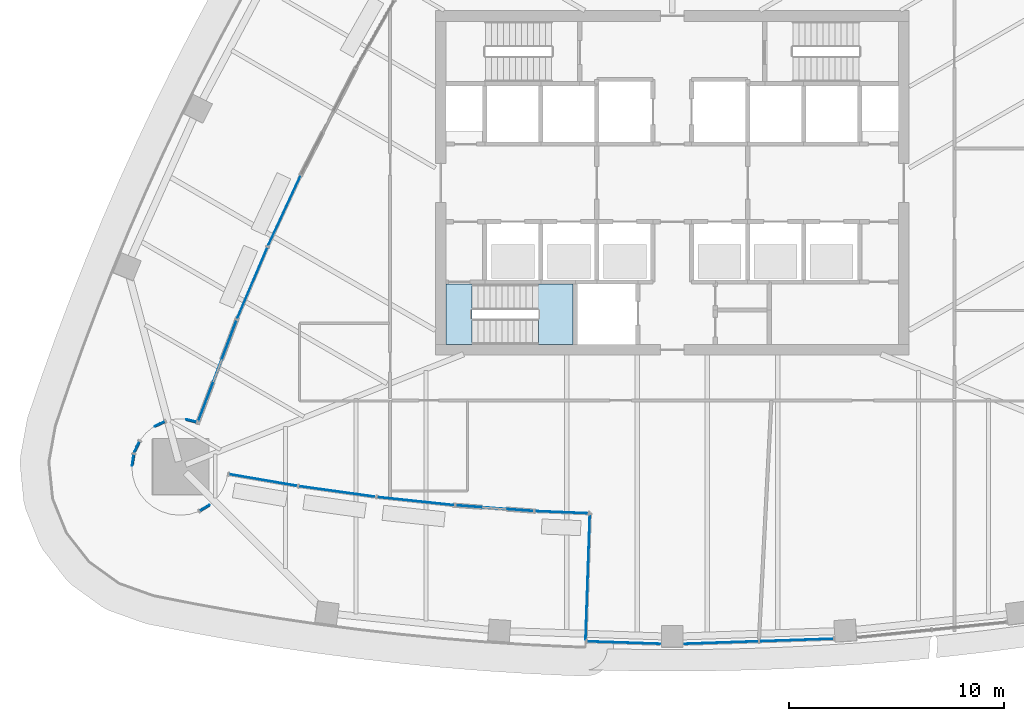
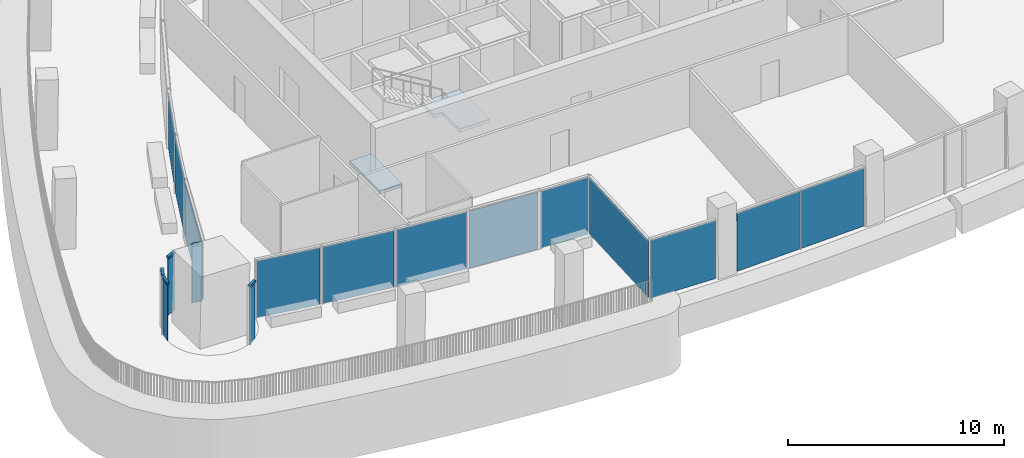
# One storey, part 7 of 18: 17 plates, 5 members, 2 slabs, 17 elements without a shape of their own.
"""IFC4 building model written with IfcOpenShell, lengths in metres."""

from ifc_helpers import new_model, si_unit, direction, frame, origin, origin_2d, place, context, subcontext, project, spatial, polyline, rectangle, outline, extrude, material, layer, layer_set, material_profile, profile_set, type_object, element, aggregate, save


model = new_model("IFC4")

# Units and contexts
model_context = context("Model", 3, precision=1e-05, world=origin(), true_north=direction((0.0, 1.0)))
body_context = subcontext(model_context, "Body", "Model", "MODEL_VIEW")
ifc_project = project(units=[si_unit("LENGTHUNIT", "METRE"), si_unit("AREAUNIT", "SQUARE_METRE"), si_unit("VOLUMEUNIT", "CUBIC_METRE"), si_unit("PLANEANGLEUNIT", "RADIAN"), si_unit("MASSUNIT", "GRAM", prefix="KILO")], contexts=[model_context])

# Site, building, storey
site_placement = place(None, origin())
site = spatial("IfcSite", under=ifc_project, at=site_placement, CompositionType="ELEMENT")
building_placement = place(site_placement, origin())
building = spatial("IfcBuilding", under=site, at=building_placement, Name="Sierra Prisma Convention Tower", CompositionType="ELEMENT")
storey_placement = place(building_placement, frame((0.0, 0.0, 205.800048828125)))
storey = spatial("IfcBuildingStorey", under=building, at=storey_placement, Name="L46", CompositionType="ELEMENT", Elevation=205.800048828125)

# Curtain wall, member
ifc_material_1 = material(Name="Aluminium and glass curtain wall", Category="aluminium")
ifc_layer_1 = layer(ifc_material_1, 0.179931640625)
ifc_layer_set_1 = layer_set([ifc_layer_1], Name="CW-6 Terrace recess curtain wall")
curtain_wall_type_1 = type_object("IfcCurtainWallType", Name="CW-6 Terrace recess curtain wall", PredefinedType="NOTDEFINED", material=ifc_layer_set_1)
curtain_wall_1_placement = place(storey_placement, origin())
curtain_wall_1 = element("IfcCurtainWall", 1, at=curtain_wall_1_placement, inside=storey, type_object=curtain_wall_type_1, Name="CW-6 R7 L46", PredefinedType="NOTDEFINED")
ifc_material_2 = material(Name="Aluminium 6063-T6 bronze anodised", Category="aluminium")
ifc_material_profile = material_profile(ifc_material_2, rectangle(XDim=0.139892578125, YDim=0.1201171875, at=origin_2d()), Name="ALU TRANSOM 120x140")
ifc_profile_set = profile_set([ifc_material_profile], Name="Aluminium 6063-T6 bronze anodised")
member_type = type_object("IfcMemberType", Name="CW transom bronze", PredefinedType="USERDEFINED", material=ifc_profile_set)
member_1_placement = place(storey_placement, frame((-22.091552734375, -11.097900390625, 3.280029296875), z_axis=(-0.971254673176, 0.238042768917, 0.0), x_axis=(-0.238042768917, -0.971254673176, 0.0)))
member_1 = element("IfcMember", 2, at=member_1_placement, type_object=member_type, Name="CW-6 transom R7.1", ObjectType="TRANSOM", PredefinedType="USERDEFINED", context=body_context, shape_type="SweptSolid", body=[
    extrude(rectangle(XDim=0.139892578125, YDim=0.1201171875, at=origin_2d()), origin(), (0.0, 0.0, 1.0), 0.486083984375),
])

curtain_wall_2_placement = place(storey_placement, origin())
curtain_wall_2 = element("IfcCurtainWall", 3, at=curtain_wall_2_placement, inside=storey, type_object=curtain_wall_type_1, Name="CW-6 R10 L46", PredefinedType="NOTDEFINED")
member_2_placement = place(storey_placement, frame((-23.564208984375, -11.0810546875, 3.280029296875), z_axis=(-0.904035763396, -0.427456826475, 0.0), x_axis=(0.427456826475, -0.904035763396, 0.0)))
member_2 = element("IfcMember", 4, at=member_2_placement, type_object=member_type, Name="CW-6 transom R10.1", ObjectType="TRANSOM", PredefinedType="USERDEFINED", context=body_context, shape_type="SweptSolid", body=[
    extrude(rectangle(XDim=0.139892578125, YDim=0.1201171875, at=origin_2d()), origin(), (0.0, 0.0, 1.0), 0.516845703125),
])

curtain_wall_3_placement = place(storey_placement, origin())
curtain_wall_3 = element("IfcCurtainWall", 5, at=curtain_wall_3_placement, inside=storey, type_object=curtain_wall_type_1, Name="CW-6 R13 L46", PredefinedType="NOTDEFINED")
member_3_placement = place(storey_placement, frame((-24.742431640625, -12.0126953125, 3.280029296875), z_axis=(-0.427456826475, -0.904035763396, 0.0), x_axis=(0.904035763396, -0.427456826475, 0.0)))
member_3 = element("IfcMember", 6, at=member_3_placement, type_object=member_type, Name="CW-6 transom R13.1", ObjectType="TRANSOM", PredefinedType="USERDEFINED", context=body_context, shape_type="SweptSolid", body=[
    extrude(rectangle(XDim=0.139892578125, YDim=0.1201171875, at=origin_2d()), origin(), (0.0, 0.0, 1.0), 0.516845703125),
])

curtain_wall_4_placement = place(storey_placement, origin())
curtain_wall_4 = element("IfcCurtainWall", 7, at=curtain_wall_4_placement, inside=storey, type_object=curtain_wall_type_1, Name="CW-6 R14 L46", PredefinedType="NOTDEFINED")
member_4_placement = place(storey_placement, frame((-25.003662109375, -12.612548828125, 3.280029296875), z_axis=(-0.14644593572, -0.989218675476, 0.0), x_axis=(0.989218675476, -0.14644593572, 0.0)))
member_4 = element("IfcMember", 8, at=member_4_placement, type_object=member_type, Name="CW-6 transom R14.1", ObjectType="TRANSOM", PredefinedType="USERDEFINED", context=body_context, shape_type="SweptSolid", body=[
    extrude(rectangle(XDim=0.139892578125, YDim=0.1201171875, at=origin_2d()), origin(), (0.0, 0.0, 1.0), 0.516845703125),
])

curtain_wall_5_placement = place(storey_placement, origin())
curtain_wall_5 = element("IfcCurtainWall", 9, at=curtain_wall_5_placement, inside=storey, type_object=curtain_wall_type_1, Name="CW-6 R25 L46", PredefinedType="NOTDEFINED")
member_5_placement = place(storey_placement, frame((-21.9345703125, -15.225341796875, 3.280029296875), z_axis=(0.85761790949, 0.514287391759, 0.0), x_axis=(-0.514287391759, 0.85761790949, 0.0)))
member_5 = element("IfcMember", 10, at=member_5_placement, type_object=member_type, Name="CW-6 transom R25.1", ObjectType="TRANSOM", PredefinedType="USERDEFINED", context=body_context, shape_type="SweptSolid", body=[
    extrude(rectangle(XDim=0.139892578125, YDim=0.1201171875, at=origin_2d()), origin(), (0.0, 0.0, 1.0), 0.516845703125),
])

# Curtain wall, plate
ifc_material_3 = material(Name="Aluminium and glass curtain wall", Category="aluminium")
ifc_layer_2 = layer(ifc_material_3, 0.179931640625)
ifc_layer_set_2 = layer_set([ifc_layer_2], Name="CW-1 Plain shaft curtain wall")
curtain_wall_type_2 = type_object("IfcCurtainWallType", Name="CW-1 Plain shaft curtain wall", PredefinedType="NOTDEFINED", material=ifc_layer_set_2)
curtain_wall_6_placement = place(storey_placement, origin())
curtain_wall_6 = element("IfcCurtainWall", 11, at=curtain_wall_6_placement, inside=storey, type_object=curtain_wall_type_2, Name="CW-1 S3b L46", PredefinedType="NOTDEFINED")
ifc_material_4 = material(Name="Tinted glass bronze-grey IGU", Category="glass")
ifc_layer_3 = layer(ifc_material_4, 0.028076171875)
ifc_layer_set_3 = layer_set([ifc_layer_3], Name="CW-1 glass panel")
plate_type_1 = type_object("IfcPlateType", Name="CW-1 glass panel", PredefinedType="CURTAIN_PANEL", material=ifc_layer_set_3)
plate_1_placement = place(storey_placement, frame((-2.2626953125, -21.344482421875, 0.0), z_axis=(0.0, 0.0, 1.0), x_axis=(0.999423772539, -0.033942935708, 0.0)))
plate_1 = element("IfcPlate", 12, at=plate_1_placement, type_object=plate_type_1, Name="CW-1 panel S3b.1", PredefinedType="CURTAIN_PANEL", context=body_context, shape_type="SweptSolid", body=[
    extrude(rectangle(XDim=3.387939453125, YDim=0.028076171875, at=origin_2d()), origin(), (0.0, 0.0, 1.0), 3.280029296875),
])
aggregate(curtain_wall_6, [plate_1])

# Curtain wall, plates
curtain_wall_7_placement = place(storey_placement, origin())
curtain_wall_7 = element("IfcCurtainWall", 13, at=curtain_wall_7_placement, inside=storey, type_object=curtain_wall_type_2, Name="CW-1 S4 L46", PredefinedType="NOTDEFINED")
plate_2_placement = place(storey_placement, frame((2.2802734375, -21.343994140625, 0.0), z_axis=(0.0, 0.0, 1.0), x_axis=(0.999423772539, 0.033942935708, 0.0)))
plate_2 = element("IfcPlate", 14, at=plate_2_placement, type_object=plate_type_1, Name="CW-1 panel S4.1", PredefinedType="CURTAIN_PANEL", context=body_context, shape_type="SweptSolid", body=[
    extrude(rectangle(XDim=3.423095703125, YDim=0.028076171875, at=origin_2d()), origin(), (0.0, 0.0, 1.0), 3.280029296875),
])
plate_3_placement = place(storey_placement, frame((5.771240234375, -21.225341796875, 0.0), z_axis=(0.0, 0.0, 1.0), x_axis=(0.999423772539, 0.033942935708, 0.0)))
plate_3 = element("IfcPlate", 15, at=plate_3_placement, type_object=plate_type_1, Name="CW-1 panel S4.2", PredefinedType="CURTAIN_PANEL", context=body_context, shape_type="SweptSolid", body=[
    extrude(rectangle(XDim=3.423095703125, YDim=0.028076171875, at=origin_2d()), origin(), (0.0, 0.0, 1.0), 3.280029296875),
])
aggregate(curtain_wall_7, [plate_2, plate_3])

# Curtain wall, plate
curtain_wall_8_placement = place(storey_placement, origin())
curtain_wall_8 = element("IfcCurtainWall", 16, at=curtain_wall_8_placement, inside=storey, type_object=curtain_wall_type_1, Name="CW-6 R4 L46", PredefinedType="NOTDEFINED")
ifc_material_5 = material(Name="Tinted glass bronze-grey IGU", Category="glass")
ifc_layer_4 = layer(ifc_material_5, 0.028076171875)
ifc_layer_set_4 = layer_set([ifc_layer_4], Name="CW-6 glass panel")
plate_type_2 = type_object("IfcPlateType", Name="CW-6 glass panel", PredefinedType="CURTAIN_PANEL", material=ifc_layer_set_4)
plate_4_placement = place(storey_placement, frame((-18.0, -1.27001953125, 0.0), z_axis=(0.0, 0.0, 1.0), x_axis=(-0.420478106612, -0.907302684808, 0.0)))
plate_4 = element("IfcPlate", 17, at=plate_4_placement, type_object=plate_type_2, Name="CW-6 panel R4.1", PredefinedType="CURTAIN_PANEL", context=body_context, shape_type="SweptSolid", body=[
    extrude(rectangle(XDim=3.537841796875, YDim=0.028076171875, at=origin_2d()), origin(), (0.0, 0.0, 1.0), 3.219970703125),
])
aggregate(curtain_wall_8, [plate_4])

curtain_wall_9_placement = place(storey_placement, origin())
curtain_wall_9 = element("IfcCurtainWall", 18, at=curtain_wall_9_placement, inside=storey, type_object=curtain_wall_type_1, Name="CW-6 R5 L46", PredefinedType="NOTDEFINED")
plate_5_placement = place(storey_placement, frame((-19.49169921875, -4.63134765625, 0.0), z_axis=(0.0, 0.0, 1.0), x_axis=(-0.390689708204, -0.920522434221, 0.0)))
plate_5 = element("IfcPlate", 19, at=plate_5_placement, type_object=plate_type_2, Name="CW-6 panel R5.1", PredefinedType="CURTAIN_PANEL", context=body_context, shape_type="SweptSolid", body=[
    extrude(rectangle(XDim=3.537841796875, YDim=0.028076171875, at=origin_2d()), origin(), (0.0, 0.0, 1.0), 3.219970703125),
])
aggregate(curtain_wall_9, [plate_5])

curtain_wall_10_placement = place(storey_placement, origin())
curtain_wall_10 = element("IfcCurtainWall", 20, at=curtain_wall_10_placement, inside=storey, type_object=curtain_wall_type_1, Name="CW-6 R6 L46", PredefinedType="NOTDEFINED")
plate_6_placement = place(storey_placement, frame((-21.116943359375, -8.719482421875, 0.0), z_axis=(0.0, 0.0, 1.0), x_axis=(-0.354048211462, -0.935227172382, 0.0)))
plate_6 = element("IfcPlate", 21, at=plate_6_placement, type_object=plate_type_2, Name="CW-6 panel R6.1", PredefinedType="CURTAIN_PANEL", context=body_context, shape_type="SweptSolid", body=[
    extrude(rectangle(XDim=4.982177734375, YDim=0.028076171875, at=origin_2d()), origin(), (0.0, 0.0, 1.0), 3.219970703125),
])
aggregate(curtain_wall_10, [plate_6])

# Plate
plate_7_placement = place(storey_placement, frame((-22.32763671875, -11.0400390625, 0.0), z_axis=(0.0, 0.0, 1.0), x_axis=(-0.971193029556, 0.238294144582, 0.0)))
plate_7 = element("IfcPlate", 22, at=plate_7_placement, type_object=plate_type_2, Name="CW-6 panel R7.1", PredefinedType="CURTAIN_PANEL", context=body_context, shape_type="SweptSolid", body=[
    extrude(rectangle(XDim=0.486328125, YDim=0.028076171875, at=origin_2d()), origin(), (0.0, 0.0, 1.0), 3.219970703125),
])

aggregate(curtain_wall_1, [member_1, plate_7])

plate_8_placement = place(storey_placement, frame((-23.7978515625, -11.19140625, 0.0), z_axis=(0.0, 0.0, 1.0), x_axis=(-0.903989293123, -0.42755509343, 0.0)))
plate_8 = element("IfcPlate", 23, at=plate_8_placement, type_object=plate_type_2, Name="CW-6 panel R10.1", PredefinedType="CURTAIN_PANEL", context=body_context, shape_type="SweptSolid", body=[
    extrude(rectangle(XDim=0.516845703125, YDim=0.028076171875, at=origin_2d()), origin(), (0.0, 0.0, 1.0), 3.219970703125),
])

aggregate(curtain_wall_2, [member_2, plate_8])

plate_9_placement = place(storey_placement, frame((-24.852783203125, -12.246337890625, 0.0), z_axis=(0.0, 0.0, 1.0), x_axis=(-0.42755509343, -0.903989293123, 0.0)))
plate_9 = element("IfcPlate", 24, at=plate_9_placement, type_object=plate_type_2, Name="CW-6 panel R13.1", PredefinedType="CURTAIN_PANEL", context=body_context, shape_type="SweptSolid", body=[
    extrude(rectangle(XDim=0.516845703125, YDim=0.028076171875, at=origin_2d()), origin(), (0.0, 0.0, 1.0), 3.219970703125),
])

aggregate(curtain_wall_3, [member_3, plate_9])

plate_10_placement = place(storey_placement, frame((-25.04150390625, -12.8681640625, 0.0), z_axis=(0.0, 0.0, 1.0), x_axis=(-0.146730474455, -0.989176509965, 0.0)))
plate_10 = element("IfcPlate", 25, at=plate_10_placement, type_object=plate_type_2, Name="CW-6 panel R14.1", PredefinedType="CURTAIN_PANEL", context=body_context, shape_type="SweptSolid", body=[
    extrude(rectangle(XDim=0.516845703125, YDim=0.028076171875, at=origin_2d()), origin(), (0.0, 0.0, 1.0), 3.219970703125),
])

aggregate(curtain_wall_4, [member_4, plate_10])

plate_11_placement = place(storey_placement, frame((-21.712890625, -15.09228515625, 0.0), z_axis=(0.0, 0.0, 1.0), x_axis=(0.85772861, 0.514102744193, 0.0)))
plate_11 = element("IfcPlate", 26, at=plate_11_placement, type_object=plate_type_2, Name="CW-6 panel R25.1", PredefinedType="CURTAIN_PANEL", context=body_context, shape_type="SweptSolid", body=[
    extrude(rectangle(XDim=0.516845703125, YDim=0.028076171875, at=origin_2d()), origin(), (0.0, 0.0, 1.0), 3.219970703125),
])

aggregate(curtain_wall_5, [member_5, plate_11])

# Curtain wall, plate
curtain_wall_11_placement = place(storey_placement, origin())
curtain_wall_11 = element("IfcCurtainWall", 27, at=curtain_wall_11_placement, inside=storey, type_object=curtain_wall_type_1, Name="CW-6 R30 L46", PredefinedType="NOTDEFINED")
plate_12_placement = place(storey_placement, frame((-19.02001953125, -13.79345703125, 0.0), z_axis=(0.0, 0.0, 1.0), x_axis=(0.985562702001, -0.169310839657, 0.0)))
plate_12 = element("IfcPlate", 28, at=plate_12_placement, type_object=plate_type_2, Name="CW-6 panel R30.1", PredefinedType="CURTAIN_PANEL", context=body_context, shape_type="SweptSolid", body=[
    extrude(rectangle(XDim=3.14501953125, YDim=0.028076171875, at=origin_2d()), origin(), (0.0, 0.0, 1.0), 3.219970703125),
])
aggregate(curtain_wall_11, [plate_12])

curtain_wall_12_placement = place(storey_placement, origin())
curtain_wall_12 = element("IfcCurtainWall", 29, at=curtain_wall_12_placement, inside=storey, type_object=curtain_wall_type_1, Name="CW-6 R31 L46", PredefinedType="NOTDEFINED")
plate_13_placement = place(storey_placement, frame((-15.579833984375, -14.325439453125, 0.0), z_axis=(0.0, 0.0, 1.0), x_axis=(0.990422293756, -0.138071286049, 0.0)))
plate_13 = element("IfcPlate", 30, at=plate_13_placement, type_object=plate_type_2, Name="CW-6 panel R31.1", PredefinedType="CURTAIN_PANEL", context=body_context, shape_type="SweptSolid", body=[
    extrude(rectangle(XDim=3.537841796875, YDim=0.028076171875, at=origin_2d()), origin(), (0.0, 0.0, 1.0), 3.219970703125),
])
aggregate(curtain_wall_12, [plate_13])

curtain_wall_13_placement = place(storey_placement, origin())
curtain_wall_13 = element("IfcCurtainWall", 31, at=curtain_wall_13_placement, inside=storey, type_object=curtain_wall_type_1, Name="CW-6 R32 L46", PredefinedType="NOTDEFINED")
plate_14_placement = place(storey_placement, frame((-11.929931640625, -14.77392578125, 0.0), z_axis=(0.0, 0.0, 1.0), x_axis=(0.994395475576, -0.105724349866, 0.0)))
plate_14 = element("IfcPlate", 32, at=plate_14_placement, type_object=plate_type_2, Name="CW-6 panel R32.1", PredefinedType="CURTAIN_PANEL", context=body_context, shape_type="SweptSolid", body=[
    extrude(rectangle(XDim=3.537841796875, YDim=0.028076171875, at=origin_2d()), origin(), (0.0, 0.0, 1.0), 3.219970703125),
])
aggregate(curtain_wall_13, [plate_14])

curtain_wall_14_placement = place(storey_placement, origin())
curtain_wall_14 = element("IfcCurtainWall", 33, at=curtain_wall_14_placement, inside=storey, type_object=curtain_wall_type_1, Name="CW-6 R33 L46", PredefinedType="NOTDEFINED")
plate_15_placement = place(storey_placement, frame((-8.26708984375, -15.10302734375, 0.0), z_axis=(0.0, 0.0, 1.0), x_axis=(0.997312499565, -0.073265122746, 0.0)))
plate_15 = element("IfcPlate", 34, at=plate_15_placement, type_object=plate_type_2, Name="CW-6 panel R33.1", PredefinedType="CURTAIN_PANEL", context=body_context, shape_type="SweptSolid", body=[
    extrude(rectangle(XDim=3.537841796875, YDim=0.028076171875, at=origin_2d()), origin(), (0.0, 0.0, 1.0), 3.219970703125),
])
aggregate(curtain_wall_14, [plate_15])

curtain_wall_15_placement = place(storey_placement, origin())
curtain_wall_15 = element("IfcCurtainWall", 35, at=curtain_wall_15_placement, inside=storey, type_object=curtain_wall_type_1, Name="CW-6 R34 L46", PredefinedType="NOTDEFINED")
plate_16_placement = place(storey_placement, frame((-5.128662109375, -15.2919921875, 0.0), z_axis=(0.0, 0.0, 1.0), x_axis=(0.999132481717, -0.041644735302, 0.0)))
plate_16 = element("IfcPlate", 36, at=plate_16_placement, type_object=plate_type_2, Name="CW-6 panel R34.1", PredefinedType="CURTAIN_PANEL", context=body_context, shape_type="SweptSolid", body=[
    extrude(rectangle(XDim=2.471435546875, YDim=0.028076171875, at=origin_2d()), origin(), (0.0, 0.0, 1.0), 3.219970703125),
])
aggregate(curtain_wall_15, [plate_16])

curtain_wall_16_placement = place(storey_placement, origin())
curtain_wall_16 = element("IfcCurtainWall", 37, at=curtain_wall_16_placement, inside=storey, type_object=curtain_wall_type_1, Name="CW-6 RT2 L46", PredefinedType="NOTDEFINED")
plate_17_placement = place(storey_placement, frame((-3.9248046875, -18.315673828125, 0.0), z_axis=(0.0, 0.0, 1.0), x_axis=(-0.033942935708, -0.999423772539, 0.0)))
plate_17 = element("IfcPlate", 38, at=plate_17_placement, type_object=plate_type_2, Name="CW-6 panel RT2.1", PredefinedType="CURTAIN_PANEL", context=body_context, shape_type="SweptSolid", body=[
    extrude(rectangle(XDim=5.8017578125, YDim=0.028076171875, at=origin_2d()), origin(), (0.0, 0.0, 1.0), 3.219970703125),
])
aggregate(curtain_wall_16, [plate_17])

# Stair, slab
ifc_material_6 = material(Name="Concrete C30/37", Category="concrete")
stair_type = type_object("IfcStairType", Name="Stair dog-leg 1200 RC", PredefinedType="HALF_TURN_STAIR", material=ifc_material_6)
stair_placement = place(storey_placement, origin())
stair = element("IfcStair", 39, at=stair_placement, inside=storey, type_object=stair_type, Name="L46 S1", PredefinedType="HALF_TURN_STAIR")
ifc_material_7 = material(Name="Concrete C35/45", Category="concrete")
ifc_layer_5 = layer(ifc_material_7, 0.199951171875)
ifc_layer_set_5 = layer_set([ifc_layer_5], Name="Stair landing slab")
slab_type = type_object("IfcSlabType", Name="Stair landing slab", PredefinedType="LANDING", material=ifc_layer_set_5)
slab_1_placement = place(storey_placement, frame((0.0, 0.0, 1.800048828125)))
slab_1 = element("IfcSlab", 40, at=slab_1_placement, type_object=slab_type, Name="S1 landing 1", PredefinedType="LANDING", context=body_context, shape_type="SweptSolid", body=[
    extrude(outline(polyline([(-4.60009765625, -4.699951171875), (-4.60009765625, -7.5), (-6.221923828125, -7.5), (-6.221923828125, -5.89990234375), (-6.669921875, -5.89990234375), (-6.669921875, -4.699951171875), (-4.60009765625, -4.699951171875)])), origin(), (0.0, 0.0, 1.0), 0.199951171875),
])
aggregate(stair, [slab_1])

# Slab
slab_2_placement = place(storey_placement, frame((0.0, 0.0, -0.199951171875)))
element("IfcSlab", 41, at=slab_2_placement, inside=storey, type_object=slab_type, Name="S1 floor landing L46", PredefinedType="LANDING", context=body_context, shape_type="SweptSolid", body=[
    extrude(outline(polyline([(-10.5, -7.5), (-9.298095703125, -7.5), (-9.298095703125, -4.699951171875), (-10.5, -4.699951171875), (-10.5, -7.5)])), origin(), (0.0, 0.0, 1.0), 0.199951171875),
])

save(model, "model.ifc")
